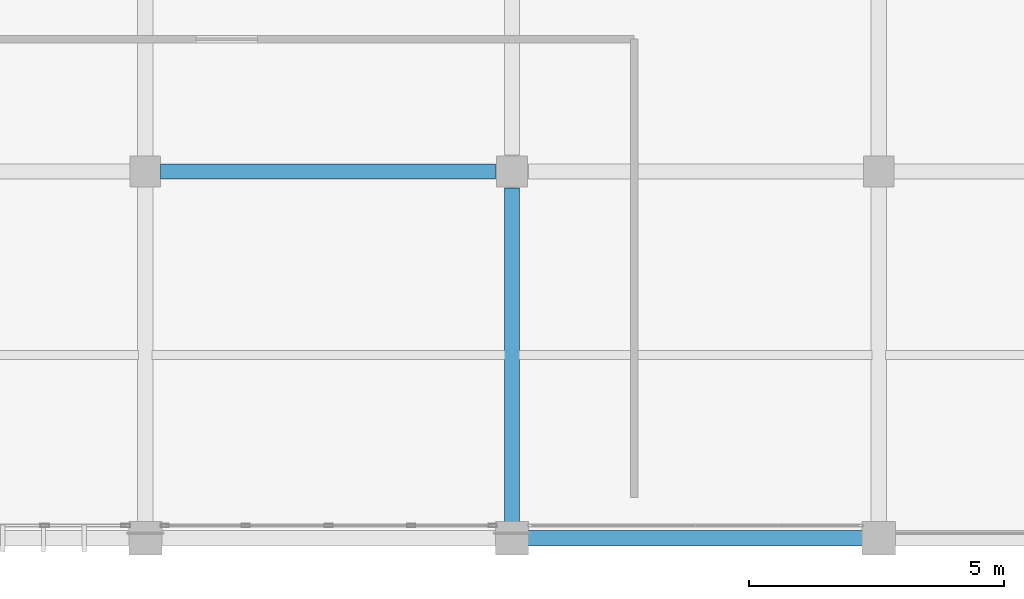
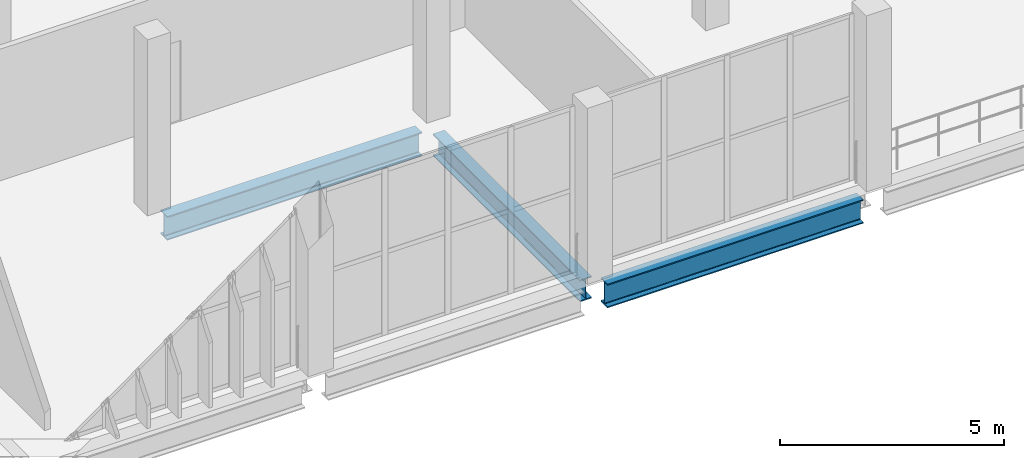
# One storey, part 25 of 105: 3 beams.
"""IFC4 building model written with IfcOpenShell, lengths in metres."""

from ifc_helpers import new_model, si_unit, direction, frame, origin, origin_2d, place, context, subcontext, project, spatial, i_section, extrude, material, material_profile, profile_set, type_object, element, save


model = new_model("IFC4")

# Units and contexts
model_context = context("Model", 3, precision=1e-05, world=origin(), true_north=direction((0.0, 1.0)))
body_context = subcontext(model_context, "Body", "Model", "MODEL_VIEW")
ifc_project = project(units=[si_unit("LENGTHUNIT", "METRE"), si_unit("AREAUNIT", "SQUARE_METRE"), si_unit("VOLUMEUNIT", "CUBIC_METRE"), si_unit("PLANEANGLEUNIT", "RADIAN"), si_unit("MASSUNIT", "GRAM", prefix="KILO")], contexts=[model_context])

# Site, building, storey
site_placement = place(None, origin())
site = spatial("IfcSite", under=ifc_project, at=site_placement, CompositionType="ELEMENT")
building_placement = place(site_placement, origin())
building = spatial("IfcBuilding", under=site, at=building_placement, Name="Qandorah Velis Arena", CompositionType="ELEMENT")
storey_placement = place(building_placement, frame((0.0, 0.0, 13.800048828125)))
storey = spatial("IfcBuildingStorey", under=building, at=storey_placement, Name="L03", CompositionType="ELEMENT", Elevation=13.800048828125)

# Beams
ifc_material = material(Name="Steel S355", Category="steel")
ifc_material_profile_1 = material_profile(ifc_material, i_section(OverallWidth=0.300048828125, OverallDepth=0.60009765625, WebThickness=0.015380859375, FlangeThickness=0.030029296875, FilletRadius=0.027099609375, at=origin_2d()), Name="HEB 600")
ifc_profile_set_1 = profile_set([ifc_material_profile_1], Name="Steel S355")
beam_type_1 = type_object("IfcBeamType", Name="STR-BM-HEB600", PredefinedType="BEAM", material=ifc_profile_set_1)
beam_1_placement = place(storey_placement, frame((100.800048828125, 0.300048828125, -0.6201171875), z_axis=(0.0, 1.0, 0.0), x_axis=(-1.0, 0.0, 0.0)))
element("IfcBeam", 1, at=beam_1_placement, inside=storey, type_object=beam_type_1, Name="Primary floor girder L03 Y-278", PredefinedType="BEAM", context=body_context, shape_type="SweptSolid", body=[
    extrude(i_section(OverallWidth=0.300048828125, OverallDepth=0.60009765625, WebThickness=0.015380859375, FlangeThickness=0.030029296875, FilletRadius=0.027099609375, at=origin_2d()), origin(), (0.0, 0.0, 1.0), 6.574951171875),
])
ifc_material_profile_2 = material_profile(ifc_material, i_section(OverallWidth=0.300048828125, OverallDepth=0.64990234375, WebThickness=0.01611328125, FlangeThickness=0.031005859375, FilletRadius=0.027099609375, at=origin_2d()), Name="HEB 650")
ifc_profile_set_2 = profile_set([ifc_material_profile_2], Name="Steel S355")
beam_type_2 = type_object("IfcBeamType", Name="STR-BM-HEB650", PredefinedType="BEAM", material=ifc_profile_set_2)
beam_2_placement = place(storey_placement, frame((101.10009765625, 0.0, -0.64501953125), z_axis=(1.0, 0.0, 0.0), x_axis=(0.0, 1.0, 0.0)))
element("IfcBeam", 2, at=beam_2_placement, inside=storey, type_object=beam_type_2, Name="Primary floor girder L03 X-011", PredefinedType="BEAM", context=body_context, shape_type="SweptSolid", body=[
    extrude(i_section(OverallWidth=0.300048828125, OverallDepth=0.64990234375, WebThickness=0.01611328125, FlangeThickness=0.031005859375, FilletRadius=0.027099609375, at=origin_2d()), origin(), (0.0, 0.0, 1.0), 6.599853515625),
])
beam_3_placement = place(storey_placement, frame((93.89990234375, 7.199951171875, -0.64501953125), z_axis=(1.0, 0.0, 0.0), x_axis=(0.0, 1.0, 0.0)))
element("IfcBeam", 3, at=beam_3_placement, inside=storey, type_object=beam_type_2, Name="Primary floor girder L03 X-022", PredefinedType="BEAM", context=body_context, shape_type="SweptSolid", body=[
    extrude(i_section(OverallWidth=0.300048828125, OverallDepth=0.64990234375, WebThickness=0.01611328125, FlangeThickness=0.031005859375, FilletRadius=0.027099609375, at=origin_2d()), origin(), (0.0, 0.0, 1.0), 6.5751953125),
])

save(model, "model.ifc")
